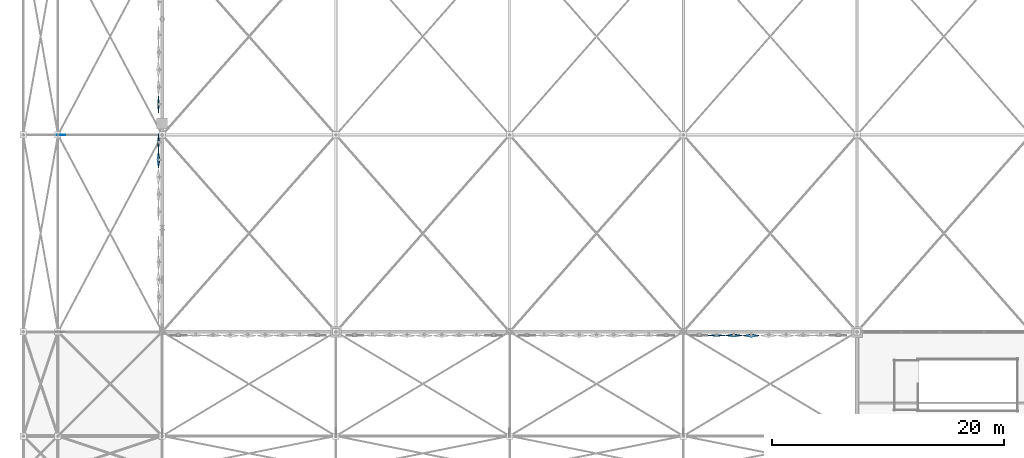
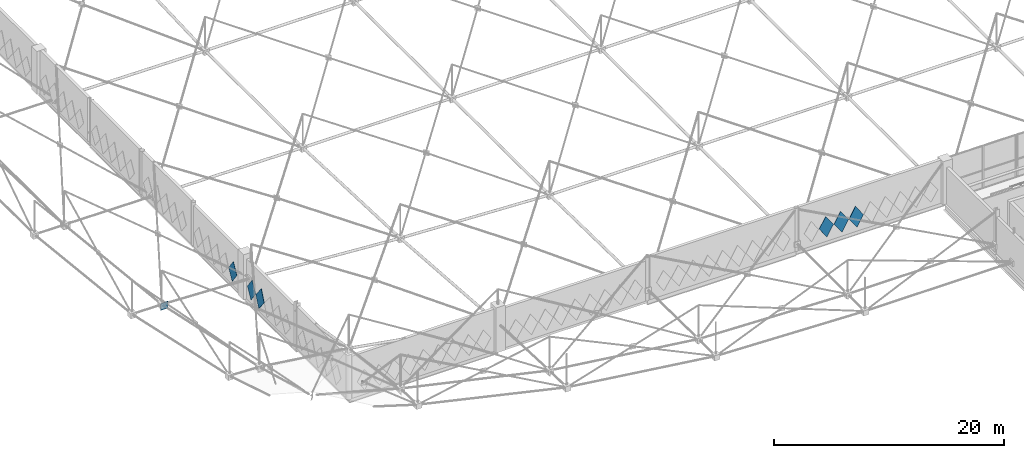
# One storey, part 160 of 224: 7 plates.
"""IFC4 building model written with IfcOpenShell, lengths in metres."""

from ifc_helpers import new_model, si_unit, direction, frame, origin, origin_2d, place, context, subcontext, project, spatial, polyline, rectangle, outline, extrude, material, layer, layer_set, type_object, element, save


model = new_model("IFC4")

# Units and contexts
model_context = context("Model", 3, precision=1e-05, world=origin(), true_north=direction((0.0, 1.0)))
body_context = subcontext(model_context, "Body", "Model", "MODEL_VIEW")
ifc_project = project(units=[si_unit("LENGTHUNIT", "METRE"), si_unit("AREAUNIT", "SQUARE_METRE"), si_unit("VOLUMEUNIT", "CUBIC_METRE"), si_unit("PLANEANGLEUNIT", "RADIAN"), si_unit("MASSUNIT", "GRAM", prefix="KILO")], contexts=[model_context])

# Site, building, storey
site_placement = place(None, origin())
site = spatial("IfcSite", under=ifc_project, at=site_placement, CompositionType="ELEMENT")
building_placement = place(site_placement, origin())
building = spatial("IfcBuilding", under=site, at=building_placement, Name="Qamarlyn Nura Convention Centre", CompositionType="ELEMENT")
storey_placement = place(building_placement, frame((0.0, 0.0, 10.800048828125)))
storey = spatial("IfcBuildingStorey", under=building, at=storey_placement, Name="L02", CompositionType="ELEMENT", Elevation=10.800048828125)

# Plates
ifc_material_1 = material(Name="White high-albedo PVDF aluminium composite sheet", Category="aluminium")
ifc_layer_1 = layer(ifc_material_1, 0.02392578125, Name="FP-DIAM-03")
ifc_layer_set_1 = layer_set([ifc_layer_1], Name="White high-albedo PVDF aluminium composite sheet")
plate_type_1 = type_object("IfcPlateType", Name="FP-DIAM-03", PredefinedType="SHEET", material=ifc_layer_set_1)
for number, where, z_axis, x_axis, name in (
    (1, (-0.31005859375, 34.36865234375, 1.699951171875), (-0.998059468659, 0.0, 0.062267945373), (0.0, -1.0, 0.0), "L02 pivoted white diamond facade tile 0204"),
    (2, (-0.31005859375, 37.635986328125, 1.699951171875), (-0.998059468659, 0.0, 0.062267945373), (0.0, -1.0, 0.0), "L02 pivoted white diamond facade tile 0205"),
):
    element("IfcPlate", number, at=place(storey_placement, frame(where, z_axis=z_axis, x_axis=x_axis)), inside=storey, type_object=plate_type_1, Name=name, PredefinedType="SHEET", context=body_context, shape_type="SweptSolid", body=[
        extrude(outline(polyline([(-0.719970703125, 0.0), (0.0, -1.050048828125), (0.719970703125, 0.0), (0.0, 1.050048828125), (-0.719970703125, 0.0)])), origin(), (0.0, 0.0, 1.0), 0.02392578125),
    ])
ifc_layer_2 = layer(ifc_material_1, 0.02587890625, Name="FP-DIAM-04")
ifc_layer_set_2 = layer_set([ifc_layer_2], Name="White high-albedo PVDF aluminium composite sheet")
plate_type_2 = type_object("IfcPlateType", Name="FP-DIAM-04", PredefinedType="SHEET", material=ifc_layer_set_2)
plate_1_placement = place(storey_placement, frame((47.864013671875, 17.68994140625, 1.699951171875), z_axis=(0.0, -0.996419457129, 0.084547415428), x_axis=(1.0, 0.0, 0.0)))
element("IfcPlate", 3, at=plate_1_placement, inside=storey, type_object=plate_type_2, Name="L02 pivoted white diamond facade tile 0276", PredefinedType="SHEET", context=body_context, shape_type="SweptSolid", body=[
    extrude(outline(polyline([(-0.719970703125, 0.0), (0.0, -1.050048828125), (0.719970703125, 0.0), (0.0, 1.050048828125), (-0.719970703125, 0.0)])), origin(), (0.0, 0.0, 1.0), 0.02587890625),
])
ifc_layer_3 = layer(ifc_material_1, 0.0380859375, Name="FP-DIAM-07")
ifc_layer_set_3 = layer_set([ifc_layer_3], Name="White high-albedo PVDF aluminium composite sheet")
plate_type_3 = type_object("IfcPlateType", Name="FP-DIAM-07", PredefinedType="SHEET", material=ifc_layer_set_3)
for number, where, z_axis, x_axis, name in (
    (4, (-0.31005859375, 32.86865234375, 1.699951171875), (-0.99271534578, 0.0, 0.120483369194), (0.0, -1.0, 0.0), "L02 pivoted white diamond facade tile 0203"),
    (5, (49.364013671875, 17.68994140625, 1.699951171875), (0.0, -0.993312448482, 0.115457263478), (1.0, 0.0, 0.0), "L02 pivoted white diamond facade tile 0275"),
):
    element("IfcPlate", number, at=place(storey_placement, frame(where, z_axis=z_axis, x_axis=x_axis)), inside=storey, type_object=plate_type_3, Name=name, PredefinedType="SHEET", context=body_context, shape_type="SweptSolid", body=[
        extrude(outline(polyline([(-0.719970703125, 0.0), (0.0, -1.050048828125), (0.719970703125, 0.0), (0.0, 1.050048828125), (-0.719970703125, 0.0)])), origin(), (0.0, 0.0, 1.0), 0.0380859375),
    ])
ifc_layer_4 = layer(ifc_material_1, 0.0439453125, Name="FP-DIAM-08")
ifc_layer_set_4 = layer_set([ifc_layer_4], Name="White high-albedo PVDF aluminium composite sheet")
plate_type_4 = type_object("IfcPlateType", Name="FP-DIAM-08", PredefinedType="SHEET", material=ifc_layer_set_4)
plate_2_placement = place(storey_placement, frame((50.864013671875, 17.68994140625, 1.699951171875), z_axis=(0.0, -0.990747840471, 0.135715572434), x_axis=(1.0, 0.0, 0.0)))
element("IfcPlate", 6, at=plate_2_placement, inside=storey, type_object=plate_type_4, Name="L02 pivoted white diamond facade tile 0274", PredefinedType="SHEET", context=body_context, shape_type="SweptSolid", body=[
    extrude(outline(polyline([(-0.719970703125, 0.0), (0.0, -1.050048828125), (0.719970703125, 0.0), (0.0, 1.050048828125), (-0.719970703125, 0.0)])), origin(), (0.0, 0.0, 1.0), 0.0439453125),
])
ifc_material_2 = material(Name="Structural steel ASTM A572 Grade 50", Category="steel")
ifc_layer_5 = layer(ifc_material_2, 0.035888671875, Name="GP-SN1")
ifc_layer_set_5 = layer_set([ifc_layer_5], Name="Structural steel ASTM A572 Grade 50")
plate_type_5 = type_object("IfcPlateType", Name="GP-SN1", PredefinedType="USERDEFINED", material=ifc_layer_set_5)
plate_3_placement = place(storey_placement, frame((-8.7490234375, 35.0, 2.24267578125), z_axis=(0.0, 0.0, 1.0), x_axis=(1.0, 0.0, 0.0)))
element("IfcPlate", 7, at=plate_3_placement, inside=storey, type_object=plate_type_5, Name="Tree strut gusset plate W-3-H", ObjectType="GUSSET PLATE", PredefinedType="USERDEFINED", context=body_context, shape_type="SweptSolid", body=[
    extrude(rectangle(XDim=0.719970703125, YDim=0.035888671875, at=origin_2d()), origin(), (0.0, 0.0, 1.0), 0.719970703125),
])

save(model, "model.ifc")
